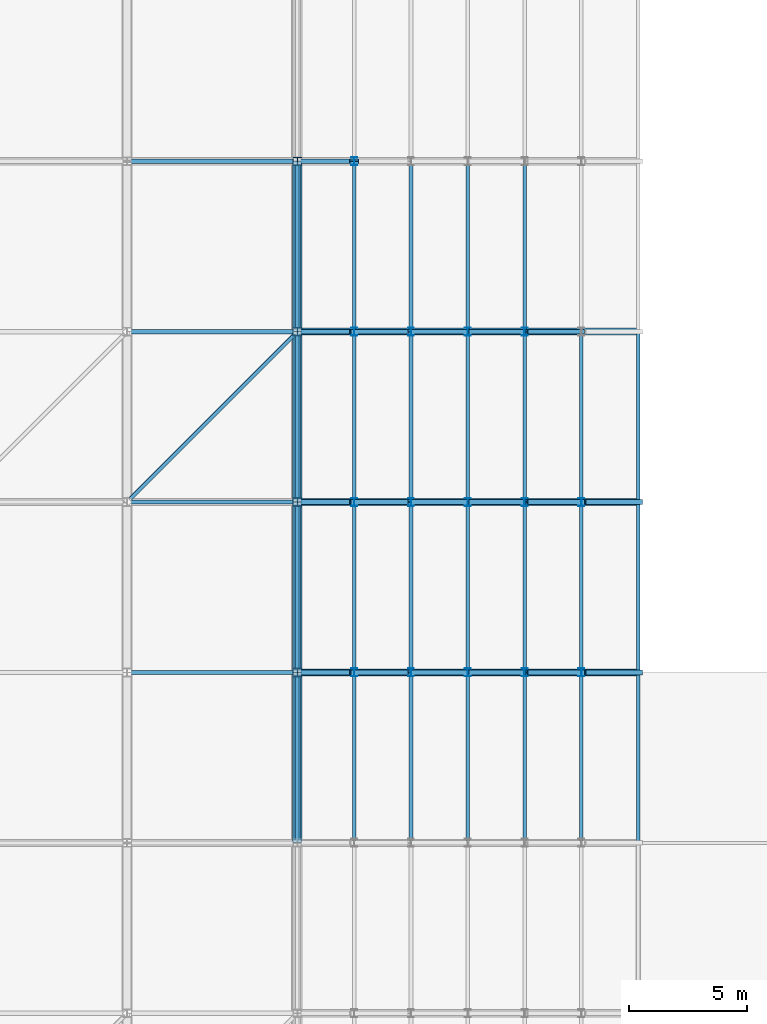
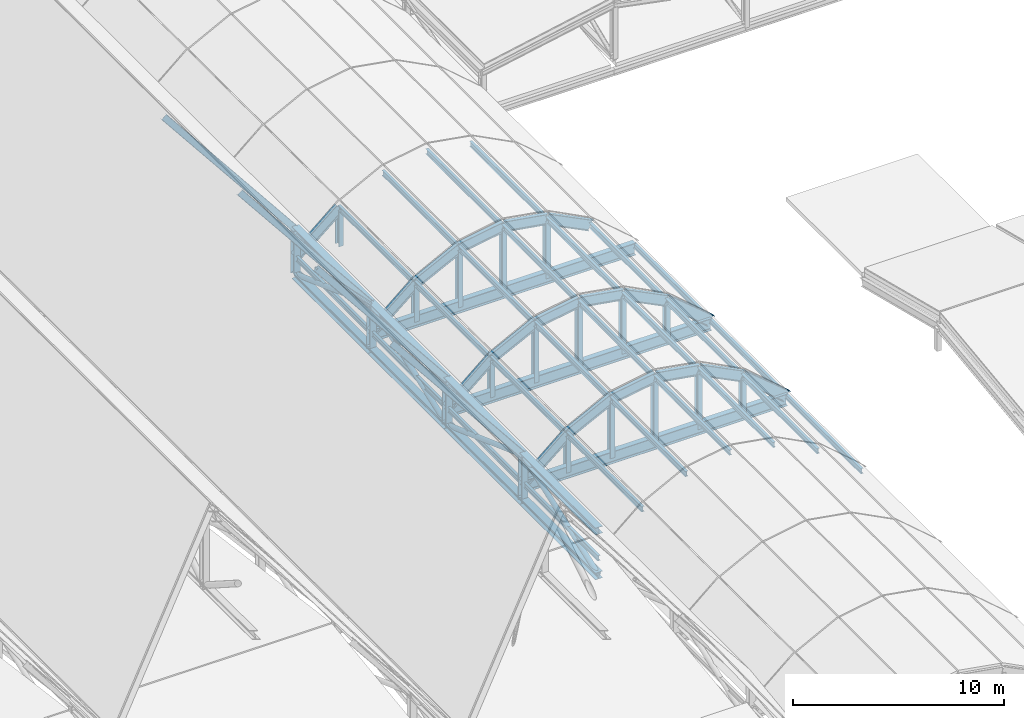
# One storey, part 21 of 60: 80 members, 3 beams.
"""IFC4 building model written with IfcOpenShell, lengths in metres."""

from ifc_helpers import new_model, si_unit, direction, frame, origin, origin_2d, place, context, subcontext, project, spatial, hollow_circle, i_section, extrude, material, material_profile, profile_set, type_object, element, save


model = new_model("IFC4")

# Units and contexts
model_context = context("Model", 3, precision=1e-05, world=origin(), true_north=direction((0.0, 1.0)))
body_context = subcontext(model_context, "Body", "Model", "MODEL_VIEW")
ifc_project = project(units=[si_unit("LENGTHUNIT", "METRE"), si_unit("AREAUNIT", "SQUARE_METRE"), si_unit("VOLUMEUNIT", "CUBIC_METRE"), si_unit("PLANEANGLEUNIT", "RADIAN"), si_unit("MASSUNIT", "GRAM", prefix="KILO")], contexts=[model_context])

# Site, building, storey
site_placement = place(None, origin())
site = spatial("IfcSite", under=ifc_project, at=site_placement, CompositionType="ELEMENT")
building_placement = place(site_placement, origin())
building = spatial("IfcBuilding", under=site, at=building_placement, Name="Vesperath Aquatics Centre", CompositionType="ELEMENT")
storey_placement = place(building_placement, frame((0.0, 0.0, 27.60009765625)))
storey = spatial("IfcBuildingStorey", under=building, at=storey_placement, Name="RF", CompositionType="ELEMENT", Elevation=27.60009765625)

# Beams
ifc_material_1 = material(Name="Steel Q355D", Category="steel")
ifc_material_profile_1 = material_profile(ifc_material_1, i_section(OverallWidth=0.300048828125, OverallDepth=0.699951171875, WebThickness=0.012939453125, FlangeThickness=0.02392578125, FilletRadius=0.028076171875, at=origin_2d()), Name="HN 700x300x13x24")
ifc_profile_set_1 = profile_set([ifc_material_profile_1], Name="Steel Q355D")
beam_type = type_object("IfcBeamType", Name="BM-RB10", PredefinedType="BEAM", material=ifc_profile_set_1)
for number, where, z_axis, x_axis, name in (
    (1, (100.800048828125, 36.0, -11.550048828125), (1.0, 0.0, 0.0), (0.0, 1.0, 0.0), "Conservatory Arch Tie Beam B08 F"),
    (2, (100.800048828125, 43.199951171875, -11.550048828125), (1.0, 0.0, 0.0), (0.0, 1.0, 0.0), "Conservatory Arch Tie Beam B08 G"),
    (3, (100.800048828125, 50.39990234375, -11.550048828125), (1.0, 0.0, 0.0), (0.0, 1.0, 0.0), "Conservatory Arch Tie Beam B08 H"),
):
    element("IfcBeam", number, at=place(storey_placement, frame(where, z_axis=z_axis, x_axis=x_axis)), inside=storey, type_object=beam_type, Name=name, PredefinedType="BEAM", context=body_context, shape_type="SweptSolid", body=[
        extrude(i_section(OverallWidth=0.300048828125, OverallDepth=0.699951171875, WebThickness=0.012939453125, FlangeThickness=0.02392578125, FilletRadius=0.028076171875, at=origin_2d()), origin(), (0.0, 0.0, 1.0), 14.39990234375),
    ])

# Members
ifc_material_profile_2 = material_profile(ifc_material_1, i_section(OverallWidth=0.199951171875, OverallDepth=0.60009765625, WebThickness=0.010986328125, FlangeThickness=0.01708984375, FilletRadius=0.02197265625, at=origin_2d()), Name="HN 600x200x11x17")
ifc_profile_set_2 = profile_set([ifc_material_profile_2], Name="Steel Q355D")
member_type_1 = type_object("IfcMemberType", Name="MB-AR01", PredefinedType="RAFTER", material=ifc_profile_set_2)
member_1_placement = place(storey_placement, frame((100.800048828125, 36.0, -11.400146484375), z_axis=(0.768208468069, 0.0, 0.640199773186), x_axis=(0.0, 1.0, 0.0)))
element("IfcMember", 4, at=member_1_placement, inside=storey, type_object=member_type_1, Name="Conservatory Vault Arch Rib AR01 F-1", PredefinedType="RAFTER", context=body_context, shape_type="SweptSolid", body=[
    extrude(i_section(OverallWidth=0.199951171875, OverallDepth=0.60009765625, WebThickness=0.010986328125, FlangeThickness=0.01708984375, FilletRadius=0.02197265625, at=origin_2d()), origin(), (0.0, 0.0, 1.0), 3.1240234375),
])
member_2_placement = place(storey_placement, frame((103.199951171875, 36.0, -9.400146484375), z_axis=(0.894445386687, 0.0, 0.447177202275), x_axis=(0.0, 1.0, 0.0)))
element("IfcMember", 5, at=member_2_placement, inside=storey, type_object=member_type_1, Name="Conservatory Vault Arch Rib AR01 F-2", PredefinedType="RAFTER", context=body_context, shape_type="SweptSolid", body=[
    extrude(i_section(OverallWidth=0.199951171875, OverallDepth=0.60009765625, WebThickness=0.010986328125, FlangeThickness=0.01708984375, FilletRadius=0.02197265625, at=origin_2d()), origin(), (0.0, 0.0, 1.0), 2.683349609375),
])
for number, where, z_axis, x_axis, name in (
    (6, (105.60009765625, 36.0, -8.2001953125), (0.986383073668, 0.0, 0.16446407505), (0.0, 1.0, 0.0), "Conservatory Vault Arch Rib AR01 F-3"),
    (7, (108.0, 36.0, -7.800048828125), (0.986383073668, 0.0, -0.16446407505), (0.0, 1.0, 0.0), "Conservatory Vault Arch Rib AR01 F-4"),
):
    element("IfcMember", number, at=place(storey_placement, frame(where, z_axis=z_axis, x_axis=x_axis)), inside=storey, type_object=member_type_1, Name=name, PredefinedType="RAFTER", context=body_context, shape_type="SweptSolid", body=[
        extrude(i_section(OverallWidth=0.199951171875, OverallDepth=0.60009765625, WebThickness=0.010986328125, FlangeThickness=0.01708984375, FilletRadius=0.02197265625, at=origin_2d()), origin(), (0.0, 0.0, 1.0), 2.43310546875),
    ])
member_3_placement = place(storey_placement, frame((110.39990234375, 36.0, -8.2001953125), z_axis=(0.894445386687, 0.0, -0.447177202275), x_axis=(0.0, 1.0, 0.0)))
element("IfcMember", 8, at=member_3_placement, inside=storey, type_object=member_type_1, Name="Conservatory Vault Arch Rib AR01 F-5", PredefinedType="RAFTER", context=body_context, shape_type="SweptSolid", body=[
    extrude(i_section(OverallWidth=0.199951171875, OverallDepth=0.60009765625, WebThickness=0.010986328125, FlangeThickness=0.01708984375, FilletRadius=0.02197265625, at=origin_2d()), origin(), (0.0, 0.0, 1.0), 2.683349609375),
])
for number, where, z_axis, x_axis, name in (
    (9, (112.800048828125, 36.0, -9.400146484375), (0.768208468069, 0.0, -0.640199773186), (0.0, 1.0, 0.0), "Conservatory Vault Arch Rib AR01 F-6"),
    (10, (100.800048828125, 43.199951171875, -11.400146484375), (0.768208468069, 0.0, 0.640199773186), (0.0, 1.0, 0.0), "Conservatory Vault Arch Rib AR01 G-1"),
):
    element("IfcMember", number, at=place(storey_placement, frame(where, z_axis=z_axis, x_axis=x_axis)), inside=storey, type_object=member_type_1, Name=name, PredefinedType="RAFTER", context=body_context, shape_type="SweptSolid", body=[
        extrude(i_section(OverallWidth=0.199951171875, OverallDepth=0.60009765625, WebThickness=0.010986328125, FlangeThickness=0.01708984375, FilletRadius=0.02197265625, at=origin_2d()), origin(), (0.0, 0.0, 1.0), 3.1240234375),
    ])
member_4_placement = place(storey_placement, frame((103.199951171875, 43.199951171875, -9.400146484375), z_axis=(0.894445386687, 0.0, 0.447177202275), x_axis=(0.0, 1.0, 0.0)))
element("IfcMember", 11, at=member_4_placement, inside=storey, type_object=member_type_1, Name="Conservatory Vault Arch Rib AR01 G-2", PredefinedType="RAFTER", context=body_context, shape_type="SweptSolid", body=[
    extrude(i_section(OverallWidth=0.199951171875, OverallDepth=0.60009765625, WebThickness=0.010986328125, FlangeThickness=0.01708984375, FilletRadius=0.02197265625, at=origin_2d()), origin(), (0.0, 0.0, 1.0), 2.683349609375),
])
for number, where, z_axis, x_axis, name in (
    (12, (105.60009765625, 43.199951171875, -8.2001953125), (0.986383073668, 0.0, 0.16446407505), (0.0, 1.0, 0.0), "Conservatory Vault Arch Rib AR01 G-3"),
    (13, (108.0, 43.199951171875, -7.800048828125), (0.986383073668, 0.0, -0.16446407505), (0.0, 1.0, 0.0), "Conservatory Vault Arch Rib AR01 G-4"),
):
    element("IfcMember", number, at=place(storey_placement, frame(where, z_axis=z_axis, x_axis=x_axis)), inside=storey, type_object=member_type_1, Name=name, PredefinedType="RAFTER", context=body_context, shape_type="SweptSolid", body=[
        extrude(i_section(OverallWidth=0.199951171875, OverallDepth=0.60009765625, WebThickness=0.010986328125, FlangeThickness=0.01708984375, FilletRadius=0.02197265625, at=origin_2d()), origin(), (0.0, 0.0, 1.0), 2.43310546875),
    ])
member_5_placement = place(storey_placement, frame((110.39990234375, 43.199951171875, -8.2001953125), z_axis=(0.894445386687, 0.0, -0.447177202275), x_axis=(0.0, 1.0, 0.0)))
element("IfcMember", 14, at=member_5_placement, inside=storey, type_object=member_type_1, Name="Conservatory Vault Arch Rib AR01 G-5", PredefinedType="RAFTER", context=body_context, shape_type="SweptSolid", body=[
    extrude(i_section(OverallWidth=0.199951171875, OverallDepth=0.60009765625, WebThickness=0.010986328125, FlangeThickness=0.01708984375, FilletRadius=0.02197265625, at=origin_2d()), origin(), (0.0, 0.0, 1.0), 2.683349609375),
])
for number, where, z_axis, x_axis, name in (
    (15, (112.800048828125, 43.199951171875, -9.400146484375), (0.768208468069, 0.0, -0.640199773186), (0.0, 1.0, 0.0), "Conservatory Vault Arch Rib AR01 G-6"),
    (16, (100.800048828125, 50.39990234375, -11.400146484375), (0.768208468069, 0.0, 0.640199773186), (0.0, 1.0, 0.0), "Conservatory Vault Arch Rib AR01 H-1"),
):
    element("IfcMember", number, at=place(storey_placement, frame(where, z_axis=z_axis, x_axis=x_axis)), inside=storey, type_object=member_type_1, Name=name, PredefinedType="RAFTER", context=body_context, shape_type="SweptSolid", body=[
        extrude(i_section(OverallWidth=0.199951171875, OverallDepth=0.60009765625, WebThickness=0.010986328125, FlangeThickness=0.01708984375, FilletRadius=0.02197265625, at=origin_2d()), origin(), (0.0, 0.0, 1.0), 3.1240234375),
    ])
member_6_placement = place(storey_placement, frame((103.199951171875, 50.39990234375, -9.400146484375), z_axis=(0.894445386687, 0.0, 0.447177202275), x_axis=(0.0, 1.0, 0.0)))
element("IfcMember", 17, at=member_6_placement, inside=storey, type_object=member_type_1, Name="Conservatory Vault Arch Rib AR01 H-2", PredefinedType="RAFTER", context=body_context, shape_type="SweptSolid", body=[
    extrude(i_section(OverallWidth=0.199951171875, OverallDepth=0.60009765625, WebThickness=0.010986328125, FlangeThickness=0.01708984375, FilletRadius=0.02197265625, at=origin_2d()), origin(), (0.0, 0.0, 1.0), 2.683349609375),
])
for number, where, z_axis, x_axis, name in (
    (18, (105.60009765625, 50.39990234375, -8.2001953125), (0.986383073668, 0.0, 0.16446407505), (0.0, 1.0, 0.0), "Conservatory Vault Arch Rib AR01 H-3"),
    (19, (108.0, 50.39990234375, -7.800048828125), (0.986383073668, 0.0, -0.16446407505), (0.0, 1.0, 0.0), "Conservatory Vault Arch Rib AR01 H-4"),
):
    element("IfcMember", number, at=place(storey_placement, frame(where, z_axis=z_axis, x_axis=x_axis)), inside=storey, type_object=member_type_1, Name=name, PredefinedType="RAFTER", context=body_context, shape_type="SweptSolid", body=[
        extrude(i_section(OverallWidth=0.199951171875, OverallDepth=0.60009765625, WebThickness=0.010986328125, FlangeThickness=0.01708984375, FilletRadius=0.02197265625, at=origin_2d()), origin(), (0.0, 0.0, 1.0), 2.43310546875),
    ])
member_7_placement = place(storey_placement, frame((110.39990234375, 50.39990234375, -8.2001953125), z_axis=(0.894445386687, 0.0, -0.447177202275), x_axis=(0.0, 1.0, 0.0)))
element("IfcMember", 20, at=member_7_placement, inside=storey, type_object=member_type_1, Name="Conservatory Vault Arch Rib AR01 H-5", PredefinedType="RAFTER", context=body_context, shape_type="SweptSolid", body=[
    extrude(i_section(OverallWidth=0.199951171875, OverallDepth=0.60009765625, WebThickness=0.010986328125, FlangeThickness=0.01708984375, FilletRadius=0.02197265625, at=origin_2d()), origin(), (0.0, 0.0, 1.0), 2.683349609375),
])
member_8_placement = place(storey_placement, frame((100.800048828125, 57.60009765625, -11.400146484375), z_axis=(0.768208468069, 0.0, 0.640199773186), x_axis=(0.0, 1.0, 0.0)))
element("IfcMember", 21, at=member_8_placement, inside=storey, type_object=member_type_1, Name="Conservatory Vault Arch Rib AR01 J-1", PredefinedType="RAFTER", context=body_context, shape_type="SweptSolid", body=[
    extrude(i_section(OverallWidth=0.199951171875, OverallDepth=0.60009765625, WebThickness=0.010986328125, FlangeThickness=0.01708984375, FilletRadius=0.02197265625, at=origin_2d()), origin(), (0.0, 0.0, 1.0), 3.1240234375),
])
ifc_material_profile_3 = material_profile(ifc_material_1, i_section(OverallWidth=0.39990234375, OverallDepth=0.39990234375, WebThickness=0.012939453125, FlangeThickness=0.02099609375, FilletRadius=0.02197265625, at=origin_2d()), Name="HW 400x400x13x21")
ifc_profile_set_3 = profile_set([ifc_material_profile_3], Name="Steel Q355D")
member_type_2 = type_object("IfcMemberType", Name="MB-BC01", PredefinedType="CHORD", material=ifc_profile_set_3)
for number, where, z_axis, x_axis, name in (
    (22, (100.800048828125, 28.800048828125, -12.400146484375), (0.0, 1.0, 0.0), (-1.0, 0.0, 0.0), "Natatorium ROOF TRUSS Bottom Chord BC01 G15-5"),
    (23, (100.800048828125, 36.0, -12.400146484375), (0.0, 1.0, 0.0), (-1.0, 0.0, 0.0), "Natatorium ROOF TRUSS Bottom Chord BC01 G15-6"),
    (24, (100.800048828125, 43.199951171875, -12.400146484375), (0.0, 1.0, 0.0), (-1.0, 0.0, 0.0), "Natatorium ROOF TRUSS Bottom Chord BC01 G15-7"),
):
    element("IfcMember", number, at=place(storey_placement, frame(where, z_axis=z_axis, x_axis=x_axis)), inside=storey, type_object=member_type_2, Name=name, PredefinedType="CHORD", context=body_context, shape_type="SweptSolid", body=[
        extrude(i_section(OverallWidth=0.39990234375, OverallDepth=0.39990234375, WebThickness=0.012939453125, FlangeThickness=0.02099609375, FilletRadius=0.02197265625, at=origin_2d()), origin(), (0.0, 0.0, 1.0), 7.199951171875),
    ])
member_9_placement = place(storey_placement, frame((100.800048828125, 50.39990234375, -12.400146484375), z_axis=(0.0, 1.0, 0.0), x_axis=(-1.0, 0.0, 0.0)))
element("IfcMember", 25, at=member_9_placement, inside=storey, type_object=member_type_2, Name="Natatorium ROOF TRUSS Bottom Chord BC01 G15-8", PredefinedType="CHORD", context=body_context, shape_type="SweptSolid", body=[
    extrude(i_section(OverallWidth=0.39990234375, OverallDepth=0.39990234375, WebThickness=0.012939453125, FlangeThickness=0.02099609375, FilletRadius=0.02197265625, at=origin_2d()), origin(), (0.0, 0.0, 1.0), 7.2001953125),
])
ifc_material_profile_4 = material_profile(ifc_material_1, hollow_circle(Radius=0.084228515625, WallThickness=0.008056640625, at=origin_2d()), Name="CHS 168.3x8")
ifc_profile_set_4 = profile_set([ifc_material_profile_4], Name="Steel Q355D")
member_type_3 = type_object("IfcMemberType", Name="MB-BR01", PredefinedType="BRACE", material=ifc_profile_set_4)
member_10_placement = place(storey_placement, frame((93.642333984375, 43.242431640625, -0.85302734375), z_axis=(0.529812942826, 0.529812942826, -0.662266178533), x_axis=(-0.707106781187, 0.707106781187, 0.0)))
element("IfcMember", 26, at=member_10_placement, inside=storey, type_object=member_type_3, Name="Natatorium Roof Brace BR01 B14-43", PredefinedType="BRACE", context=body_context, shape_type="SweptSolid", body=[
    extrude(hollow_circle(Radius=0.084228515625, WallThickness=0.008056640625, at=origin_2d()), origin(), (0.0, 0.0, 1.0), 13.4296875),
])
ifc_material_2 = material(Name="Steel Q355C", Category="steel")
ifc_material_profile_5 = material_profile(ifc_material_2, i_section(OverallWidth=0.175048828125, OverallDepth=0.35009765625, WebThickness=0.007080078125, FlangeThickness=0.010986328125, FilletRadius=0.012939453125, at=origin_2d()), Name="HN 350x175x7x11")
ifc_profile_set_5 = profile_set([ifc_material_profile_5], Name="Steel Q355C")
member_type_4 = type_object("IfcMemberType", Name="MB-PR01", PredefinedType="PURLIN", material=ifc_profile_set_5)
for number, where, z_axis, x_axis, name in (
    (27, (93.60009765625, 36.0, -0.800048828125), (0.624692464322, 0.0, -0.780870876022), (0.0, 1.0, 0.0), "Natatorium Roof Purlin PR01 B14-4"),
    (28, (93.60009765625, 43.199951171875, -0.800048828125), (0.624692464322, 0.0, -0.780870876022), (0.0, 1.0, 0.0), "Natatorium Roof Purlin PR01 B14-5"),
    (29, (93.60009765625, 50.39990234375, -0.800048828125), (0.624692464322, 0.0, -0.780870876022), (0.0, 1.0, 0.0), "Natatorium Roof Purlin PR01 B14-6"),
    (30, (93.60009765625, 57.60009765625, -0.800048828125), (0.624692464322, 0.0, -0.780870876022), (0.0, 1.0, 0.0), "Natatorium Roof Purlin PR01 B14-7"),
):
    element("IfcMember", number, at=place(storey_placement, frame(where, z_axis=z_axis, x_axis=x_axis)), inside=storey, type_object=member_type_4, Name=name, PredefinedType="PURLIN", context=body_context, shape_type="SweptSolid", body=[
        extrude(i_section(OverallWidth=0.175048828125, OverallDepth=0.35009765625, WebThickness=0.007080078125, FlangeThickness=0.010986328125, FilletRadius=0.012939453125, at=origin_2d()), origin(), (0.0, 0.0, 1.0), 11.525634765625),
    ])
ifc_material_profile_6 = material_profile(ifc_material_2, i_section(OverallWidth=0.14990234375, OverallDepth=0.300048828125, WebThickness=0.006591796875, FlangeThickness=0.009033203125, FilletRadius=0.012939453125, at=origin_2d()), Name="HN 300x150x6.5x9")
ifc_profile_set_6 = profile_set([ifc_material_profile_6], Name="Steel Q355C")
member_type_5 = type_object("IfcMemberType", Name="MB-PR02", PredefinedType="PURLIN", material=ifc_profile_set_6)
for number, where, z_axis, x_axis, name in (
    (31, (100.800048828125, 28.800048828125, -11.400146484375), (0.0, 1.0, 0.0), (-1.0, 0.0, 0.0), "Conservatory Vault Purlin PR02 E-1"),
    (32, (103.199951171875, 28.800048828125, -9.400146484375), (0.0, 1.0, 0.0), (-1.0, 0.0, 0.0), "Conservatory Vault Purlin PR02 E-2"),
    (33, (105.60009765625, 28.800048828125, -8.2001953125), (0.0, 1.0, 0.0), (-1.0, 0.0, 0.0), "Conservatory Vault Purlin PR02 E-3"),
    (34, (108.0, 28.800048828125, -7.800048828125), (0.0, 1.0, 0.0), (-1.0, 0.0, 0.0), "Conservatory Vault Purlin PR02 E-4"),
    (35, (110.39990234375, 28.800048828125, -8.2001953125), (0.0, 1.0, 0.0), (-1.0, 0.0, 0.0), "Conservatory Vault Purlin PR02 E-5"),
    (36, (112.800048828125, 28.800048828125, -9.400146484375), (0.0, 1.0, 0.0), (-1.0, 0.0, 0.0), "Conservatory Vault Purlin PR02 E-6"),
    (37, (115.199951171875, 28.800048828125, -11.400146484375), (0.0, 1.0, 0.0), (-1.0, 0.0, 0.0), "Conservatory Vault Purlin PR02 E-7"),
    (38, (100.800048828125, 36.0, -11.400146484375), (0.0, 1.0, 0.0), (-1.0, 0.0, 0.0), "Conservatory Vault Purlin PR02 F-1"),
    (39, (103.199951171875, 36.0, -9.400146484375), (0.0, 1.0, 0.0), (-1.0, 0.0, 0.0), "Conservatory Vault Purlin PR02 F-2"),
    (40, (105.60009765625, 36.0, -8.2001953125), (0.0, 1.0, 0.0), (-1.0, 0.0, 0.0), "Conservatory Vault Purlin PR02 F-3"),
    (41, (108.0, 36.0, -7.800048828125), (0.0, 1.0, 0.0), (-1.0, 0.0, 0.0), "Conservatory Vault Purlin PR02 F-4"),
    (42, (110.39990234375, 36.0, -8.2001953125), (0.0, 1.0, 0.0), (-1.0, 0.0, 0.0), "Conservatory Vault Purlin PR02 F-5"),
    (43, (112.800048828125, 36.0, -9.400146484375), (0.0, 1.0, 0.0), (-1.0, 0.0, 0.0), "Conservatory Vault Purlin PR02 F-6"),
    (44, (115.199951171875, 36.0, -11.400146484375), (0.0, 1.0, 0.0), (-1.0, 0.0, 0.0), "Conservatory Vault Purlin PR02 F-7"),
    (45, (100.800048828125, 43.199951171875, -11.400146484375), (0.0, 1.0, 0.0), (-1.0, 0.0, 0.0), "Conservatory Vault Purlin PR02 G-1"),
    (46, (103.199951171875, 43.199951171875, -9.400146484375), (0.0, 1.0, 0.0), (-1.0, 0.0, 0.0), "Conservatory Vault Purlin PR02 G-2"),
    (47, (105.60009765625, 43.199951171875, -8.2001953125), (0.0, 1.0, 0.0), (-1.0, 0.0, 0.0), "Conservatory Vault Purlin PR02 G-3"),
    (48, (108.0, 43.199951171875, -7.800048828125), (0.0, 1.0, 0.0), (-1.0, 0.0, 0.0), "Conservatory Vault Purlin PR02 G-4"),
    (49, (110.39990234375, 43.199951171875, -8.2001953125), (0.0, 1.0, 0.0), (-1.0, 0.0, 0.0), "Conservatory Vault Purlin PR02 G-5"),
    (50, (112.800048828125, 43.199951171875, -9.400146484375), (0.0, 1.0, 0.0), (-1.0, 0.0, 0.0), "Conservatory Vault Purlin PR02 G-6"),
    (51, (115.199951171875, 43.199951171875, -11.400146484375), (0.0, 1.0, 0.0), (-1.0, 0.0, 0.0), "Conservatory Vault Purlin PR02 G-7"),
):
    element("IfcMember", number, at=place(storey_placement, frame(where, z_axis=z_axis, x_axis=x_axis)), inside=storey, type_object=member_type_5, Name=name, PredefinedType="PURLIN", context=body_context, shape_type="SweptSolid", body=[
        extrude(i_section(OverallWidth=0.14990234375, OverallDepth=0.300048828125, WebThickness=0.006591796875, FlangeThickness=0.009033203125, FilletRadius=0.012939453125, at=origin_2d()), origin(), (0.0, 0.0, 1.0), 7.199951171875),
    ])
for number, where, z_axis, x_axis, name in (
    (52, (100.800048828125, 50.39990234375, -11.400146484375), (0.0, 1.0, 0.0), (-1.0, 0.0, 0.0), "Conservatory Vault Purlin PR02 H-1"),
    (53, (103.199951171875, 50.39990234375, -9.400146484375), (0.0, 1.0, 0.0), (-1.0, 0.0, 0.0), "Conservatory Vault Purlin PR02 H-2"),
    (54, (105.60009765625, 50.39990234375, -8.2001953125), (0.0, 1.0, 0.0), (-1.0, 0.0, 0.0), "Conservatory Vault Purlin PR02 H-3"),
    (55, (108.0, 50.39990234375, -7.800048828125), (0.0, 1.0, 0.0), (-1.0, 0.0, 0.0), "Conservatory Vault Purlin PR02 H-4"),
    (56, (110.39990234375, 50.39990234375, -8.2001953125), (0.0, 1.0, 0.0), (-1.0, 0.0, 0.0), "Conservatory Vault Purlin PR02 H-5"),
):
    element("IfcMember", number, at=place(storey_placement, frame(where, z_axis=z_axis, x_axis=x_axis)), inside=storey, type_object=member_type_5, Name=name, PredefinedType="PURLIN", context=body_context, shape_type="SweptSolid", body=[
        extrude(i_section(OverallWidth=0.14990234375, OverallDepth=0.300048828125, WebThickness=0.006591796875, FlangeThickness=0.009033203125, FilletRadius=0.012939453125, at=origin_2d()), origin(), (0.0, 0.0, 1.0), 7.2001953125),
    ])
ifc_material_profile_7 = material_profile(ifc_material_1, i_section(OverallWidth=0.39990234375, OverallDepth=0.39990234375, WebThickness=0.012939453125, FlangeThickness=0.02099609375, FilletRadius=0.02197265625, at=origin_2d()), Name="HW 400x400x13x21")
ifc_profile_set_7 = profile_set([ifc_material_profile_7], Name="Steel Q355D")
member_type_6 = type_object("IfcMemberType", Name="MB-TC02", PredefinedType="CHORD", material=ifc_profile_set_7)
for number, where, z_axis, x_axis, name in (
    (57, (100.800048828125, 28.800048828125, -9.800048828125), (0.0, 1.0, 0.0), (-1.0, 0.0, 0.0), "Natatorium ROOF TRUSS Top Chord TC02 G15-5"),
    (58, (100.800048828125, 36.0, -9.800048828125), (0.0, 1.0, 0.0), (-1.0, 0.0, 0.0), "Natatorium ROOF TRUSS Top Chord TC02 G15-6"),
    (59, (100.800048828125, 43.199951171875, -9.800048828125), (0.0, 1.0, 0.0), (-1.0, 0.0, 0.0), "Natatorium ROOF TRUSS Top Chord TC02 G15-7"),
):
    element("IfcMember", number, at=place(storey_placement, frame(where, z_axis=z_axis, x_axis=x_axis)), inside=storey, type_object=member_type_6, Name=name, PredefinedType="CHORD", context=body_context, shape_type="SweptSolid", body=[
        extrude(i_section(OverallWidth=0.39990234375, OverallDepth=0.39990234375, WebThickness=0.012939453125, FlangeThickness=0.02099609375, FilletRadius=0.02197265625, at=origin_2d()), origin(), (0.0, 0.0, 1.0), 7.199951171875),
    ])
member_11_placement = place(storey_placement, frame((100.800048828125, 50.39990234375, -9.800048828125), z_axis=(0.0, 1.0, 0.0), x_axis=(-1.0, 0.0, 0.0)))
element("IfcMember", 60, at=member_11_placement, inside=storey, type_object=member_type_6, Name="Natatorium ROOF TRUSS Top Chord TC02 G15-8", PredefinedType="CHORD", context=body_context, shape_type="SweptSolid", body=[
    extrude(i_section(OverallWidth=0.39990234375, OverallDepth=0.39990234375, WebThickness=0.012939453125, FlangeThickness=0.02099609375, FilletRadius=0.02197265625, at=origin_2d()), origin(), (0.0, 0.0, 1.0), 7.2001953125),
])
ifc_material_profile_8 = material_profile(ifc_material_1, hollow_circle(Radius=0.136474609375, WallThickness=0.011962890625, at=origin_2d()), Name="CHS 273.0x12")
ifc_profile_set_8 = profile_set([ifc_material_profile_8], Name="Steel Q355D")
member_type_7 = type_object("IfcMemberType", Name="MB-TD02", PredefinedType="BRACE", material=ifc_profile_set_8)
for number, where, z_axis, x_axis, name in (
    (61, (100.800048828125, 28.875244140625, -12.373046875), (0.0, 0.940544360889, 0.339670877761), (-1.0, 0.0, 0.0), "Natatorium ROOF TRUSS Diagonal TD02 G15-5"),
    (62, (100.800048828125, 36.0751953125, -9.8271484375), (0.0, 0.940544360889, -0.339670877761), (-1.0, 0.0, 0.0), "Natatorium ROOF TRUSS Diagonal TD02 G15-6"),
    (63, (100.800048828125, 43.275146484375, -12.373046875), (0.0, 0.940544360889, 0.339670877761), (-1.0, 0.0, 0.0), "Natatorium ROOF TRUSS Diagonal TD02 G15-7"),
):
    element("IfcMember", number, at=place(storey_placement, frame(where, z_axis=z_axis, x_axis=x_axis)), inside=storey, type_object=member_type_7, Name=name, PredefinedType="BRACE", context=body_context, shape_type="SweptSolid", body=[
        extrude(hollow_circle(Radius=0.136474609375, WallThickness=0.011962890625, at=origin_2d()), origin(), (0.0, 0.0, 1.0), 7.4951171875),
    ])
member_12_placement = place(storey_placement, frame((100.800048828125, 50.475341796875, -9.8271484375), z_axis=(0.0, 0.940540602568, -0.339681284324), x_axis=(-1.0, 0.0, 0.0)))
element("IfcMember", 64, at=member_12_placement, inside=storey, type_object=member_type_7, Name="Natatorium ROOF TRUSS Diagonal TD02 G15-8", PredefinedType="BRACE", context=body_context, shape_type="SweptSolid", body=[
    extrude(hollow_circle(Radius=0.136474609375, WallThickness=0.011962890625, at=origin_2d()), origin(), (0.0, 0.0, 1.0), 7.494873046875),
])
ifc_material_profile_9 = material_profile(ifc_material_1, i_section(OverallWidth=0.35009765625, OverallDepth=0.35009765625, WebThickness=0.011962890625, FlangeThickness=0.01904296875, FilletRadius=0.02001953125, at=origin_2d()), Name="HW 350x350x12x19")
ifc_profile_set_9 = profile_set([ifc_material_profile_9], Name="Steel Q355D")
member_type_8 = type_object("IfcMemberType", Name="MB-TP01", PredefinedType="POST", material=ifc_profile_set_9)
for number, where, z_axis, x_axis, name in (
    (65, (100.800048828125, 36.0, -12.400146484375), (0.0, 0.0, 1.0), (1.0, 0.0, 0.0), "Natatorium ROOF TRUSS Post TP01 G15-6"),
    (66, (100.800048828125, 43.199951171875, -12.400146484375), (0.0, 0.0, 1.0), (1.0, 0.0, 0.0), "Natatorium ROOF TRUSS Post TP01 G15-7"),
    (67, (100.800048828125, 50.39990234375, -12.400146484375), (0.0, 0.0, 1.0), (1.0, 0.0, 0.0), "Natatorium ROOF TRUSS Post TP01 G15-8"),
    (68, (100.800048828125, 57.60009765625, -12.400146484375), (0.0, 0.0, 1.0), (1.0, 0.0, 0.0), "Natatorium ROOF TRUSS Post TP01 G15-9"),
):
    element("IfcMember", number, at=place(storey_placement, frame(where, z_axis=z_axis, x_axis=x_axis)), inside=storey, type_object=member_type_8, Name=name, PredefinedType="POST", context=body_context, shape_type="SweptSolid", body=[
        extrude(i_section(OverallWidth=0.35009765625, OverallDepth=0.35009765625, WebThickness=0.011962890625, FlangeThickness=0.01904296875, FilletRadius=0.02001953125, at=origin_2d()), origin(), (0.0, 0.0, 1.0), 2.60009765625),
    ])
ifc_material_profile_10 = material_profile(ifc_material_1, i_section(OverallWidth=0.25, OverallDepth=0.340087890625, WebThickness=0.009033203125, FlangeThickness=0.013916015625, FilletRadius=0.02001953125, at=origin_2d()), Name="HM 340x250x9x14")
ifc_profile_set_10 = profile_set([ifc_material_profile_10], Name="Steel Q355D")
member_type_9 = type_object("IfcMemberType", Name="MB-TP02", PredefinedType="POST", material=ifc_profile_set_10)
member_13_placement = place(storey_placement, frame((103.199951171875, 36.0, -11.550048828125), z_axis=(0.0, 0.0, 1.0), x_axis=(1.0, 0.0, 0.0)))
element("IfcMember", 69, at=member_13_placement, inside=storey, type_object=member_type_9, Name="Conservatory Vault Post TP02 F-1", PredefinedType="POST", context=body_context, shape_type="SweptSolid", body=[
    extrude(i_section(OverallWidth=0.25, OverallDepth=0.340087890625, WebThickness=0.009033203125, FlangeThickness=0.013916015625, FilletRadius=0.02001953125, at=origin_2d()), origin(), (0.0, 0.0, 1.0), 2.14990234375),
])
member_14_placement = place(storey_placement, frame((105.60009765625, 36.0, -11.550048828125), z_axis=(0.0, 0.0, 1.0), x_axis=(1.0, 0.0, 0.0)))
element("IfcMember", 70, at=member_14_placement, inside=storey, type_object=member_type_9, Name="Conservatory Vault Post TP02 F-2", PredefinedType="POST", context=body_context, shape_type="SweptSolid", body=[
    extrude(i_section(OverallWidth=0.25, OverallDepth=0.340087890625, WebThickness=0.009033203125, FlangeThickness=0.013916015625, FilletRadius=0.02001953125, at=origin_2d()), origin(), (0.0, 0.0, 1.0), 3.349853515625),
])
member_15_placement = place(storey_placement, frame((108.0, 36.0, -11.550048828125), z_axis=(0.0, 0.0, 1.0), x_axis=(1.0, 0.0, 0.0)))
element("IfcMember", 71, at=member_15_placement, inside=storey, type_object=member_type_9, Name="Conservatory Vault Post TP02 F-3", PredefinedType="POST", context=body_context, shape_type="SweptSolid", body=[
    extrude(i_section(OverallWidth=0.25, OverallDepth=0.340087890625, WebThickness=0.009033203125, FlangeThickness=0.013916015625, FilletRadius=0.02001953125, at=origin_2d()), origin(), (0.0, 0.0, 1.0), 3.75),
])
member_16_placement = place(storey_placement, frame((110.39990234375, 36.0, -11.550048828125), z_axis=(0.0, 0.0, 1.0), x_axis=(1.0, 0.0, 0.0)))
element("IfcMember", 72, at=member_16_placement, inside=storey, type_object=member_type_9, Name="Conservatory Vault Post TP02 F-4", PredefinedType="POST", context=body_context, shape_type="SweptSolid", body=[
    extrude(i_section(OverallWidth=0.25, OverallDepth=0.340087890625, WebThickness=0.009033203125, FlangeThickness=0.013916015625, FilletRadius=0.02001953125, at=origin_2d()), origin(), (0.0, 0.0, 1.0), 3.349853515625),
])
for number, where, z_axis, x_axis, name in (
    (73, (112.800048828125, 36.0, -11.550048828125), (0.0, 0.0, 1.0), (1.0, 0.0, 0.0), "Conservatory Vault Post TP02 F-5"),
    (74, (103.199951171875, 43.199951171875, -11.550048828125), (0.0, 0.0, 1.0), (1.0, 0.0, 0.0), "Conservatory Vault Post TP02 G-1"),
):
    element("IfcMember", number, at=place(storey_placement, frame(where, z_axis=z_axis, x_axis=x_axis)), inside=storey, type_object=member_type_9, Name=name, PredefinedType="POST", context=body_context, shape_type="SweptSolid", body=[
        extrude(i_section(OverallWidth=0.25, OverallDepth=0.340087890625, WebThickness=0.009033203125, FlangeThickness=0.013916015625, FilletRadius=0.02001953125, at=origin_2d()), origin(), (0.0, 0.0, 1.0), 2.14990234375),
    ])
member_17_placement = place(storey_placement, frame((105.60009765625, 43.199951171875, -11.550048828125), z_axis=(0.0, 0.0, 1.0), x_axis=(1.0, 0.0, 0.0)))
element("IfcMember", 75, at=member_17_placement, inside=storey, type_object=member_type_9, Name="Conservatory Vault Post TP02 G-2", PredefinedType="POST", context=body_context, shape_type="SweptSolid", body=[
    extrude(i_section(OverallWidth=0.25, OverallDepth=0.340087890625, WebThickness=0.009033203125, FlangeThickness=0.013916015625, FilletRadius=0.02001953125, at=origin_2d()), origin(), (0.0, 0.0, 1.0), 3.349853515625),
])
member_18_placement = place(storey_placement, frame((108.0, 43.199951171875, -11.550048828125), z_axis=(0.0, 0.0, 1.0), x_axis=(1.0, 0.0, 0.0)))
element("IfcMember", 76, at=member_18_placement, inside=storey, type_object=member_type_9, Name="Conservatory Vault Post TP02 G-3", PredefinedType="POST", context=body_context, shape_type="SweptSolid", body=[
    extrude(i_section(OverallWidth=0.25, OverallDepth=0.340087890625, WebThickness=0.009033203125, FlangeThickness=0.013916015625, FilletRadius=0.02001953125, at=origin_2d()), origin(), (0.0, 0.0, 1.0), 3.75),
])
member_19_placement = place(storey_placement, frame((110.39990234375, 43.199951171875, -11.550048828125), z_axis=(0.0, 0.0, 1.0), x_axis=(1.0, 0.0, 0.0)))
element("IfcMember", 77, at=member_19_placement, inside=storey, type_object=member_type_9, Name="Conservatory Vault Post TP02 G-4", PredefinedType="POST", context=body_context, shape_type="SweptSolid", body=[
    extrude(i_section(OverallWidth=0.25, OverallDepth=0.340087890625, WebThickness=0.009033203125, FlangeThickness=0.013916015625, FilletRadius=0.02001953125, at=origin_2d()), origin(), (0.0, 0.0, 1.0), 3.349853515625),
])
for number, where, z_axis, x_axis, name in (
    (78, (112.800048828125, 43.199951171875, -11.550048828125), (0.0, 0.0, 1.0), (1.0, 0.0, 0.0), "Conservatory Vault Post TP02 G-5"),
    (79, (103.199951171875, 50.39990234375, -11.550048828125), (0.0, 0.0, 1.0), (1.0, 0.0, 0.0), "Conservatory Vault Post TP02 H-1"),
):
    element("IfcMember", number, at=place(storey_placement, frame(where, z_axis=z_axis, x_axis=x_axis)), inside=storey, type_object=member_type_9, Name=name, PredefinedType="POST", context=body_context, shape_type="SweptSolid", body=[
        extrude(i_section(OverallWidth=0.25, OverallDepth=0.340087890625, WebThickness=0.009033203125, FlangeThickness=0.013916015625, FilletRadius=0.02001953125, at=origin_2d()), origin(), (0.0, 0.0, 1.0), 2.14990234375),
    ])
member_20_placement = place(storey_placement, frame((105.60009765625, 50.39990234375, -11.550048828125), z_axis=(0.0, 0.0, 1.0), x_axis=(1.0, 0.0, 0.0)))
element("IfcMember", 80, at=member_20_placement, inside=storey, type_object=member_type_9, Name="Conservatory Vault Post TP02 H-2", PredefinedType="POST", context=body_context, shape_type="SweptSolid", body=[
    extrude(i_section(OverallWidth=0.25, OverallDepth=0.340087890625, WebThickness=0.009033203125, FlangeThickness=0.013916015625, FilletRadius=0.02001953125, at=origin_2d()), origin(), (0.0, 0.0, 1.0), 3.349853515625),
])
member_21_placement = place(storey_placement, frame((108.0, 50.39990234375, -11.550048828125), z_axis=(0.0, 0.0, 1.0), x_axis=(1.0, 0.0, 0.0)))
element("IfcMember", 81, at=member_21_placement, inside=storey, type_object=member_type_9, Name="Conservatory Vault Post TP02 H-3", PredefinedType="POST", context=body_context, shape_type="SweptSolid", body=[
    extrude(i_section(OverallWidth=0.25, OverallDepth=0.340087890625, WebThickness=0.009033203125, FlangeThickness=0.013916015625, FilletRadius=0.02001953125, at=origin_2d()), origin(), (0.0, 0.0, 1.0), 3.75),
])
member_22_placement = place(storey_placement, frame((110.39990234375, 50.39990234375, -11.550048828125), z_axis=(0.0, 0.0, 1.0), x_axis=(1.0, 0.0, 0.0)))
element("IfcMember", 82, at=member_22_placement, inside=storey, type_object=member_type_9, Name="Conservatory Vault Post TP02 H-4", PredefinedType="POST", context=body_context, shape_type="SweptSolid", body=[
    extrude(i_section(OverallWidth=0.25, OverallDepth=0.340087890625, WebThickness=0.009033203125, FlangeThickness=0.013916015625, FilletRadius=0.02001953125, at=origin_2d()), origin(), (0.0, 0.0, 1.0), 3.349853515625),
])
member_23_placement = place(storey_placement, frame((103.199951171875, 57.60009765625, -11.550048828125), z_axis=(0.0, 0.0, 1.0), x_axis=(1.0, 0.0, 0.0)))
element("IfcMember", 83, at=member_23_placement, inside=storey, type_object=member_type_9, Name="Conservatory Vault Post TP02 J-1", PredefinedType="POST", context=body_context, shape_type="SweptSolid", body=[
    extrude(i_section(OverallWidth=0.25, OverallDepth=0.340087890625, WebThickness=0.009033203125, FlangeThickness=0.013916015625, FilletRadius=0.02001953125, at=origin_2d()), origin(), (0.0, 0.0, 1.0), 2.14990234375),
])

save(model, "model.ifc")
